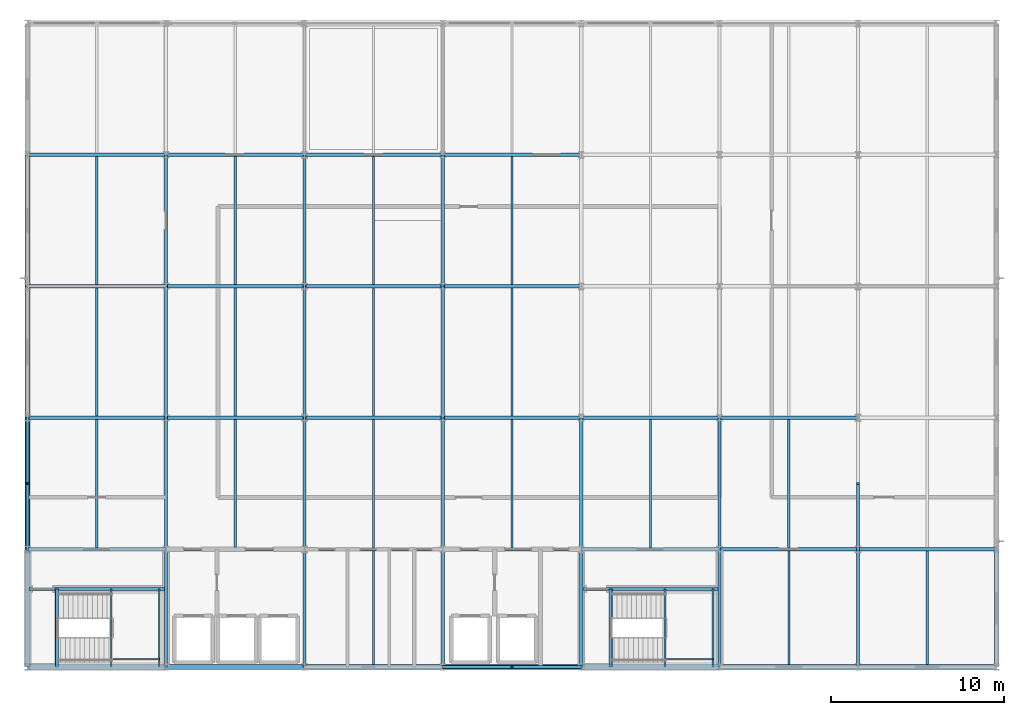
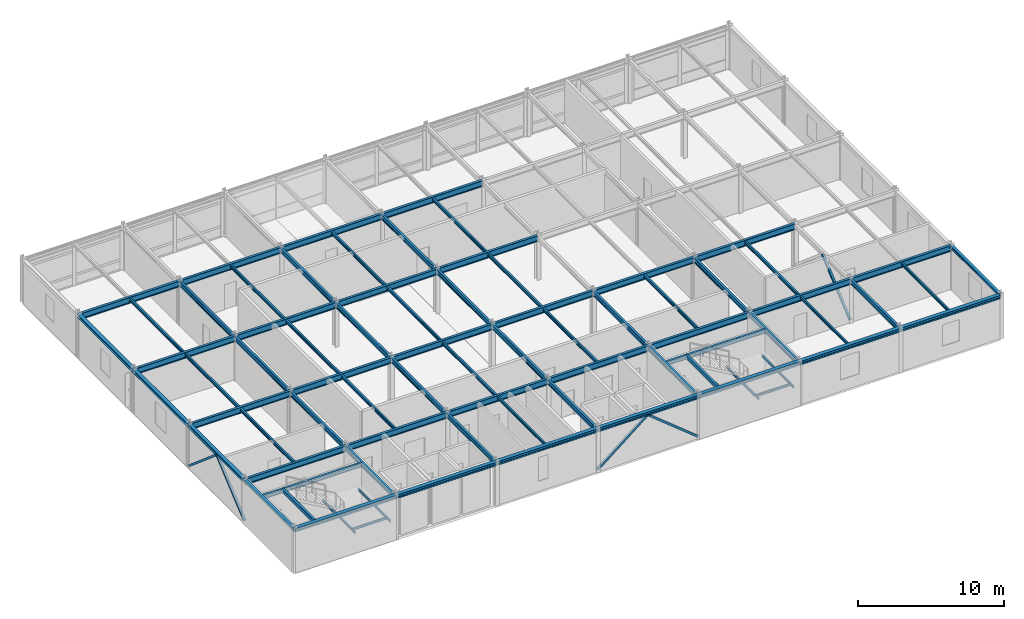
# One storey, part 4 of 15: 77 beams, 5 members.
"""IFC4 building model written with IfcOpenShell, lengths in metres."""

from ifc_helpers import new_model, si_unit, direction, frame, origin, origin_2d, place, context, subcontext, project, spatial, hollow_rectangle, i_section, extrude, material, material_profile, profile_set, type_object, element, save


model = new_model("IFC4")

# Units and contexts
model_context = context("Model", 3, precision=1e-05, world=origin(), true_north=direction((0.0, 1.0)))
body_context = subcontext(model_context, "Body", "Model", "MODEL_VIEW")
ifc_project = project(units=[si_unit("LENGTHUNIT", "METRE"), si_unit("AREAUNIT", "SQUARE_METRE"), si_unit("VOLUMEUNIT", "CUBIC_METRE"), si_unit("PLANEANGLEUNIT", "RADIAN"), si_unit("MASSUNIT", "GRAM", prefix="KILO")], contexts=[model_context])

# Site, building, storey
site_placement = place(None, origin())
site = spatial("IfcSite", under=ifc_project, at=site_placement, CompositionType="ELEMENT")
building_placement = place(site_placement, origin())
building = spatial("IfcBuilding", under=site, at=building_placement, Name="Shalkamar Park Central Library", CompositionType="ELEMENT")
storey_placement = place(building_placement, frame((0.0, 0.0, 39.89990234375)))
storey = spatial("IfcBuildingStorey", under=building, at=storey_placement, Name="L10", CompositionType="ELEMENT", Elevation=39.89990234375)

# Beams
ifc_material = material(Name="Steel S355", Category="steel")
ifc_material_profile_1 = material_profile(ifc_material, i_section(OverallWidth=0.10009765625, OverallDepth=0.199951171875, WebThickness=0.005615234375, FlangeThickness=0.008544921875, FilletRadius=0.011962890625, at=origin_2d()), Name="IPE 200")
ifc_profile_set_1 = profile_set([ifc_material_profile_1], Name="Steel S355")
beam_type_1 = type_object("IfcBeamType", Name="Composite Floor Joist IPE200", PredefinedType="JOIST", material=ifc_profile_set_1)
for number, where, z_axis, x_axis, name in (
    (1, (169.840087890625, 248.39990234375, 1.570068359375), (0.0, 1.0, 0.0), (-1.0, 0.0, 0.0), "Stair Half-Landing Beam ST-T1-L10-1"),
    (2, (172.6201171875, 248.39990234375, 1.570068359375), (0.0, 1.0, 0.0), (-1.0, 0.0, 0.0), "Stair Half-Landing Beam ST-T1-L10-2"),
):
    element("IfcBeam", number, at=place(storey_placement, frame(where, z_axis=z_axis, x_axis=x_axis)), inside=storey, type_object=beam_type_1, Name=name, PredefinedType="JOIST", context=body_context, shape_type="SweptSolid", body=[
        extrude(i_section(OverallWidth=0.10009765625, OverallDepth=0.199951171875, WebThickness=0.005615234375, FlangeThickness=0.008544921875, FilletRadius=0.011962890625, at=origin_2d()), origin(), (0.0, 0.0, 1.0), 4.5),
    ])
beam_1_placement = place(storey_placement, frame((169.840087890625, 248.85009765625, 1.570068359375), z_axis=(1.0, 0.0, 0.0), x_axis=(0.0, 1.0, 0.0)))
element("IfcBeam", 3, at=beam_1_placement, inside=storey, type_object=beam_type_1, Name="Stair Half-Landing Cross Tie ST-T1-L10-3", PredefinedType="JOIST", context=body_context, shape_type="SweptSolid", body=[
    extrude(i_section(OverallWidth=0.10009765625, OverallDepth=0.199951171875, WebThickness=0.005615234375, FlangeThickness=0.008544921875, FilletRadius=0.011962890625, at=origin_2d()), origin(), (0.0, 0.0, 1.0), 2.780029296875),
])
for number, where, z_axis, x_axis, name in (
    (4, (201.840087890625, 248.39990234375, 1.570068359375), (0.0, 1.0, 0.0), (-1.0, 0.0, 0.0), "Stair Half-Landing Beam ST-T2-L10-1"),
    (5, (204.6201171875, 248.39990234375, 1.570068359375), (0.0, 1.0, 0.0), (-1.0, 0.0, 0.0), "Stair Half-Landing Beam ST-T2-L10-2"),
):
    element("IfcBeam", number, at=place(storey_placement, frame(where, z_axis=z_axis, x_axis=x_axis)), inside=storey, type_object=beam_type_1, Name=name, PredefinedType="JOIST", context=body_context, shape_type="SweptSolid", body=[
        extrude(i_section(OverallWidth=0.10009765625, OverallDepth=0.199951171875, WebThickness=0.005615234375, FlangeThickness=0.008544921875, FilletRadius=0.011962890625, at=origin_2d()), origin(), (0.0, 0.0, 1.0), 4.5),
    ])
beam_2_placement = place(storey_placement, frame((201.840087890625, 248.85009765625, 1.570068359375), z_axis=(1.0, 0.0, 0.0), x_axis=(0.0, 1.0, 0.0)))
element("IfcBeam", 6, at=beam_2_placement, inside=storey, type_object=beam_type_1, Name="Stair Half-Landing Cross Tie ST-T2-L10-3", PredefinedType="JOIST", context=body_context, shape_type="SweptSolid", body=[
    extrude(i_section(OverallWidth=0.10009765625, OverallDepth=0.199951171875, WebThickness=0.005615234375, FlangeThickness=0.008544921875, FilletRadius=0.011962890625, at=origin_2d()), origin(), (0.0, 0.0, 1.0), 2.780029296875),
])
ifc_material_profile_2 = material_profile(ifc_material, i_section(OverallWidth=0.1201171875, OverallDepth=0.239990234375, WebThickness=0.006103515625, FlangeThickness=0.009765625, FilletRadius=0.014892578125, at=origin_2d()), Name="IPE 240")
ifc_profile_set_2 = profile_set([ifc_material_profile_2], Name="Steel S355")
beam_type_2 = type_object("IfcBeamType", Name="Composite Floor Joist IPE240", PredefinedType="JOIST", material=ifc_profile_set_2)
for number, where, z_axis, x_axis, name in (
    (7, (185.0, 248.548095703125, 3.56005859375), (0.0, 1.0, 0.0), (-1.0, 0.0, 0.0), "Composite Joist 09/B-1 (L10)"),
    (8, (209.0, 248.548095703125, 3.56005859375), (0.0, 1.0, 0.0), (-1.0, 0.0, 0.0), "Composite Joist 12/B-1 (L10)"),
    (9, (217.0, 248.548095703125, 3.56005859375), (0.0, 1.0, 0.0), (-1.0, 0.0, 0.0), "Composite Joist 13/B-1 (L10)"),
):
    element("IfcBeam", number, at=place(storey_placement, frame(where, z_axis=z_axis, x_axis=x_axis)), inside=storey, type_object=beam_type_2, Name=name, PredefinedType="JOIST", context=body_context, shape_type="SweptSolid", body=[
        extrude(i_section(OverallWidth=0.1201171875, OverallDepth=0.239990234375, WebThickness=0.006103515625, FlangeThickness=0.009765625, FilletRadius=0.014892578125, at=origin_2d()), origin(), (0.0, 0.0, 1.0), 6.553955078125),
    ])
ifc_material_profile_3 = material_profile(ifc_material, i_section(OverallWidth=0.135009765625, OverallDepth=0.27001953125, WebThickness=0.006591796875, FlangeThickness=0.01025390625, FilletRadius=0.014892578125, at=origin_2d()), Name="IPE 270")
ifc_profile_set_3 = profile_set([ifc_material_profile_3], Name="Steel S355")
beam_type_3 = type_object("IfcBeamType", Name="Composite Floor Joist IPE270", PredefinedType="JOIST", material=ifc_profile_set_3)
beam_3_placement = place(storey_placement, frame((169.0, 255.298095703125, 3.545166015625), z_axis=(0.0, 1.0, 0.0), x_axis=(-1.0, 0.0, 0.0)))
element("IfcBeam", 10, at=beam_3_placement, inside=storey, type_object=beam_type_3, Name="Composite Joist 07/C-1 (L10)", PredefinedType="JOIST", context=body_context, shape_type="SweptSolid", body=[
    extrude(i_section(OverallWidth=0.135009765625, OverallDepth=0.27001953125, WebThickness=0.006591796875, FlangeThickness=0.01025390625, FilletRadius=0.014892578125, at=origin_2d()), origin(), (0.0, 0.0, 1.0), 7.40380859375),
])
for number, where, z_axis, x_axis, name in (
    (11, (169.0, 262.89794921875, 3.545166015625), (0.0, 1.0, 0.0), (-1.0, 0.0, 0.0), "Composite Joist 07/D-1 (L10)"),
    (12, (169.0, 270.498046875, 3.545166015625), (0.0, 1.0, 0.0), (-1.0, 0.0, 0.0), "Composite Joist 07/E-1 (L10)"),
):
    element("IfcBeam", number, at=place(storey_placement, frame(where, z_axis=z_axis, x_axis=x_axis)), inside=storey, type_object=beam_type_3, Name=name, PredefinedType="JOIST", context=body_context, shape_type="SweptSolid", body=[
        extrude(i_section(OverallWidth=0.135009765625, OverallDepth=0.27001953125, WebThickness=0.006591796875, FlangeThickness=0.01025390625, FilletRadius=0.014892578125, at=origin_2d()), origin(), (0.0, 0.0, 1.0), 7.404052734375),
    ])
beam_4_placement = place(storey_placement, frame((177.0, 255.298095703125, 3.545166015625), z_axis=(0.0, 1.0, 0.0), x_axis=(-1.0, 0.0, 0.0)))
element("IfcBeam", 13, at=beam_4_placement, inside=storey, type_object=beam_type_3, Name="Composite Joist 08/C-1 (L10)", PredefinedType="JOIST", context=body_context, shape_type="SweptSolid", body=[
    extrude(i_section(OverallWidth=0.135009765625, OverallDepth=0.27001953125, WebThickness=0.006591796875, FlangeThickness=0.01025390625, FilletRadius=0.014892578125, at=origin_2d()), origin(), (0.0, 0.0, 1.0), 7.40380859375),
])
for number, where, z_axis, x_axis, name in (
    (14, (177.0, 262.89794921875, 3.545166015625), (0.0, 1.0, 0.0), (-1.0, 0.0, 0.0), "Composite Joist 08/D-1 (L10)"),
    (15, (177.0, 270.498046875, 3.545166015625), (0.0, 1.0, 0.0), (-1.0, 0.0, 0.0), "Composite Joist 08/E-1 (L10)"),
):
    element("IfcBeam", number, at=place(storey_placement, frame(where, z_axis=z_axis, x_axis=x_axis)), inside=storey, type_object=beam_type_3, Name=name, PredefinedType="JOIST", context=body_context, shape_type="SweptSolid", body=[
        extrude(i_section(OverallWidth=0.135009765625, OverallDepth=0.27001953125, WebThickness=0.006591796875, FlangeThickness=0.01025390625, FilletRadius=0.014892578125, at=origin_2d()), origin(), (0.0, 0.0, 1.0), 7.404052734375),
    ])
beam_5_placement = place(storey_placement, frame((185.0, 255.298095703125, 3.545166015625), z_axis=(0.0, 1.0, 0.0), x_axis=(-1.0, 0.0, 0.0)))
element("IfcBeam", 16, at=beam_5_placement, inside=storey, type_object=beam_type_3, Name="Composite Joist 09/C-1 (L10)", PredefinedType="JOIST", context=body_context, shape_type="SweptSolid", body=[
    extrude(i_section(OverallWidth=0.135009765625, OverallDepth=0.27001953125, WebThickness=0.006591796875, FlangeThickness=0.01025390625, FilletRadius=0.014892578125, at=origin_2d()), origin(), (0.0, 0.0, 1.0), 7.40380859375),
])
for number, where, z_axis, x_axis, name in (
    (17, (185.0, 262.89794921875, 3.545166015625), (0.0, 1.0, 0.0), (-1.0, 0.0, 0.0), "Composite Joist 09/D-1 (L10)"),
    (18, (185.0, 270.498046875, 3.545166015625), (0.0, 1.0, 0.0), (-1.0, 0.0, 0.0), "Composite Joist 09/E-1 (L10)"),
):
    element("IfcBeam", number, at=place(storey_placement, frame(where, z_axis=z_axis, x_axis=x_axis)), inside=storey, type_object=beam_type_3, Name=name, PredefinedType="JOIST", context=body_context, shape_type="SweptSolid", body=[
        extrude(i_section(OverallWidth=0.135009765625, OverallDepth=0.27001953125, WebThickness=0.006591796875, FlangeThickness=0.01025390625, FilletRadius=0.014892578125, at=origin_2d()), origin(), (0.0, 0.0, 1.0), 7.404052734375),
    ])
beam_6_placement = place(storey_placement, frame((193.0, 255.298095703125, 3.545166015625), z_axis=(0.0, 1.0, 0.0), x_axis=(-1.0, 0.0, 0.0)))
element("IfcBeam", 19, at=beam_6_placement, inside=storey, type_object=beam_type_3, Name="Composite Joist 10/C-1 (L10)", PredefinedType="JOIST", context=body_context, shape_type="SweptSolid", body=[
    extrude(i_section(OverallWidth=0.135009765625, OverallDepth=0.27001953125, WebThickness=0.006591796875, FlangeThickness=0.01025390625, FilletRadius=0.014892578125, at=origin_2d()), origin(), (0.0, 0.0, 1.0), 7.40380859375),
])
for number, where, z_axis, x_axis, name in (
    (20, (193.0, 262.89794921875, 3.545166015625), (0.0, 1.0, 0.0), (-1.0, 0.0, 0.0), "Composite Joist 10/D-1 (L10)"),
    (21, (193.0, 270.498046875, 3.545166015625), (0.0, 1.0, 0.0), (-1.0, 0.0, 0.0), "Composite Joist 10/E-1 (L10)"),
):
    element("IfcBeam", number, at=place(storey_placement, frame(where, z_axis=z_axis, x_axis=x_axis)), inside=storey, type_object=beam_type_3, Name=name, PredefinedType="JOIST", context=body_context, shape_type="SweptSolid", body=[
        extrude(i_section(OverallWidth=0.135009765625, OverallDepth=0.27001953125, WebThickness=0.006591796875, FlangeThickness=0.01025390625, FilletRadius=0.014892578125, at=origin_2d()), origin(), (0.0, 0.0, 1.0), 7.404052734375),
    ])
for number, where, z_axis, x_axis, name in (
    (22, (201.0, 255.298095703125, 3.545166015625), (0.0, 1.0, 0.0), (-1.0, 0.0, 0.0), "Composite Joist 11/C-1 (L10)"),
    (23, (209.0, 255.298095703125, 3.545166015625), (0.0, 1.0, 0.0), (-1.0, 0.0, 0.0), "Composite Joist 12/C-1 (L10)"),
):
    element("IfcBeam", number, at=place(storey_placement, frame(where, z_axis=z_axis, x_axis=x_axis)), inside=storey, type_object=beam_type_3, Name=name, PredefinedType="JOIST", context=body_context, shape_type="SweptSolid", body=[
        extrude(i_section(OverallWidth=0.135009765625, OverallDepth=0.27001953125, WebThickness=0.006591796875, FlangeThickness=0.01025390625, FilletRadius=0.014892578125, at=origin_2d()), origin(), (0.0, 0.0, 1.0), 7.40380859375),
    ])

# Members
ifc_material_profile_4 = material_profile(ifc_material, hollow_rectangle(XDim=0.179931640625, YDim=0.179931640625, WallThickness=0.010009765625, InnerFilletRadius=0.010009765625, OuterFilletRadius=0.014892578125, at=origin_2d()), Name="SHS 180x180x10")
ifc_profile_set_4 = profile_set([ifc_material_profile_4], Name="Steel S355")
member_type = type_object("IfcMemberType", Name="Diagonal Brace SHS180", PredefinedType="BRACE", material=ifc_profile_set_4)
for number, where, z_axis, x_axis, name in (
    (24, (165.0, 255.199951171875, 0.150146484375), (0.0, 0.761945356857, 0.647641315208), (-1.0, 0.0, 0.0), "Chevron Brace TW-W Leg A (L10)"),
    (25, (165.0, 262.800048828125, 0.150146484375), (0.0, -0.761945356857, 0.647641315208), (1.0, 0.0, 0.0), "Chevron Brace TW-W Leg B (L10)"),
    (26, (213.0, 255.199951171875, 0.150146484375), (0.0, 0.761945356857, 0.647641315208), (-1.0, 0.0, 0.0), "Chevron Brace TW-E Leg A (L10)"),
):
    element("IfcMember", number, at=place(storey_placement, frame(where, z_axis=z_axis, x_axis=x_axis)), inside=storey, type_object=member_type, Name=name, PredefinedType="BRACE", context=body_context, shape_type="SweptSolid", body=[
        extrude(hollow_rectangle(XDim=0.179931640625, YDim=0.179931640625, WallThickness=0.010009765625, InnerFilletRadius=0.010009765625, OuterFilletRadius=0.014892578125, at=origin_2d()), origin(), (0.0, 0.0, 1.0), 4.9873046875),
    ])
for number, where, z_axis, x_axis, name in (
    (27, (189.0, 248.39990234375, 0.150146484375), (0.778016166517, 0.0, 0.628244255555), (0.0, 1.0, 0.0), "Chevron Brace TW-S Leg A (L10)"),
    (28, (197.0, 248.39990234375, 0.150146484375), (-0.778016166517, 0.0, 0.628244255555), (0.0, -1.0, 0.0), "Chevron Brace TW-S Leg B (L10)"),
):
    element("IfcMember", number, at=place(storey_placement, frame(where, z_axis=z_axis, x_axis=x_axis)), inside=storey, type_object=member_type, Name=name, PredefinedType="BRACE", context=body_context, shape_type="SweptSolid", body=[
        extrude(hollow_rectangle(XDim=0.179931640625, YDim=0.179931640625, WallThickness=0.010009765625, InnerFilletRadius=0.010009765625, OuterFilletRadius=0.014892578125, at=origin_2d()), origin(), (0.0, 0.0, 1.0), 5.141357421875),
    ])

# Beams
ifc_material_profile_5 = material_profile(ifc_material, i_section(OverallWidth=0.239990234375, OverallDepth=0.22998046875, WebThickness=0.007568359375, FlangeThickness=0.011962890625, FilletRadius=0.02099609375, at=origin_2d()), Name="HEA 240")
ifc_profile_set_5 = profile_set([ifc_material_profile_5], Name="Steel S355")
beam_type_4 = type_object("IfcBeamType", Name="Perimeter Spandrel Beam HEA240", PredefinedType="SPANDREL", material=ifc_profile_set_5)
for number, where, z_axis, x_axis, name in (
    (29, (165.0, 248.39990234375, 3.565185546875), (0.0, 1.0, 0.0), (-1.0, 0.0, 0.0), "Beam 07:B-C (L10)"),
    (30, (221.0, 248.39990234375, 3.565185546875), (0.0, 1.0, 0.0), (-1.0, 0.0, 0.0), "Beam 14:B-C (L10)"),
):
    element("IfcBeam", number, at=place(storey_placement, frame(where, z_axis=z_axis, x_axis=x_axis)), inside=storey, type_object=beam_type_4, Name=name, PredefinedType="SPANDREL", context=body_context, shape_type="SweptSolid", body=[
        extrude(i_section(OverallWidth=0.239990234375, OverallDepth=0.22998046875, WebThickness=0.007568359375, FlangeThickness=0.011962890625, FilletRadius=0.02099609375, at=origin_2d()), origin(), (0.0, 0.0, 1.0), 6.800048828125),
    ])
ifc_material_profile_6 = material_profile(ifc_material, i_section(OverallWidth=0.280029296875, OverallDepth=0.27001953125, WebThickness=0.008056640625, FlangeThickness=0.012939453125, FilletRadius=0.02392578125, at=origin_2d()), Name="HEA 280")
ifc_profile_set_6 = profile_set([ifc_material_profile_6], Name="Steel S355")
beam_type_5 = type_object("IfcBeamType", Name="Perimeter Spandrel Beam HEA280", PredefinedType="SPANDREL", material=ifc_profile_set_6)
beam_7_placement = place(storey_placement, frame((165.0, 255.199951171875, 3.545166015625), z_axis=(0.0, 1.0, 0.0), x_axis=(-1.0, 0.0, 0.0)))
element("IfcBeam", 31, at=beam_7_placement, inside=storey, type_object=beam_type_5, Name="Beam 07:C-D (L10)", PredefinedType="SPANDREL", context=body_context, shape_type="SweptSolid", body=[
    extrude(i_section(OverallWidth=0.280029296875, OverallDepth=0.27001953125, WebThickness=0.008056640625, FlangeThickness=0.012939453125, FilletRadius=0.02392578125, at=origin_2d()), origin(), (0.0, 0.0, 1.0), 7.60009765625),
])
beam_8_placement = place(storey_placement, frame((165.0, 262.800048828125, 3.545166015625), z_axis=(0.0, 1.0, 0.0), x_axis=(-1.0, 0.0, 0.0)))
element("IfcBeam", 32, at=beam_8_placement, inside=storey, type_object=beam_type_5, Name="Beam 07:D-E (L10)", PredefinedType="SPANDREL", context=body_context, shape_type="SweptSolid", body=[
    extrude(i_section(OverallWidth=0.280029296875, OverallDepth=0.27001953125, WebThickness=0.008056640625, FlangeThickness=0.012939453125, FilletRadius=0.02392578125, at=origin_2d()), origin(), (0.0, 0.0, 1.0), 7.599853515625),
])
beam_9_placement = place(storey_placement, frame((165.0, 270.39990234375, 3.545166015625), z_axis=(0.0, 1.0, 0.0), x_axis=(-1.0, 0.0, 0.0)))
element("IfcBeam", 33, at=beam_9_placement, inside=storey, type_object=beam_type_5, Name="Beam 07:E-F (L10)", PredefinedType="SPANDREL", context=body_context, shape_type="SweptSolid", body=[
    extrude(i_section(OverallWidth=0.280029296875, OverallDepth=0.27001953125, WebThickness=0.008056640625, FlangeThickness=0.012939453125, FilletRadius=0.02392578125, at=origin_2d()), origin(), (0.0, 0.0, 1.0), 7.60009765625),
])
ifc_material_profile_7 = material_profile(ifc_material, i_section(OverallWidth=0.300048828125, OverallDepth=0.31005859375, WebThickness=0.009033203125, FlangeThickness=0.015380859375, FilletRadius=0.027099609375, at=origin_2d()), Name="HEA 320")
ifc_profile_set_7 = profile_set([ifc_material_profile_7], Name="Steel S355")
beam_type_6 = type_object("IfcBeamType", Name="Perimeter Spandrel Beam HEA320", PredefinedType="SPANDREL", material=ifc_profile_set_7)
for number, where, z_axis, x_axis, name in (
    (34, (165.0, 248.39990234375, 3.525146484375), (1.0, 0.0, 0.0), (0.0, 1.0, 0.0), "Beam B:07-08 (L10)"),
    (35, (173.0, 248.39990234375, 3.525146484375), (1.0, 0.0, 0.0), (0.0, 1.0, 0.0), "Beam B:08-09 (L10)"),
    (36, (181.0, 248.39990234375, 3.525146484375), (1.0, 0.0, 0.0), (0.0, 1.0, 0.0), "Beam B:09-10 (L10)"),
    (37, (189.0, 248.39990234375, 3.525146484375), (1.0, 0.0, 0.0), (0.0, 1.0, 0.0), "Beam B:10-11 (L10)"),
    (38, (197.0, 248.39990234375, 3.525146484375), (1.0, 0.0, 0.0), (0.0, 1.0, 0.0), "Beam B:11-12 (L10)"),
    (39, (205.0, 248.39990234375, 3.525146484375), (1.0, 0.0, 0.0), (0.0, 1.0, 0.0), "Beam B:12-13 (L10)"),
    (40, (213.0, 248.39990234375, 3.525146484375), (1.0, 0.0, 0.0), (0.0, 1.0, 0.0), "Beam B:13-14 (L10)"),
):
    element("IfcBeam", number, at=place(storey_placement, frame(where, z_axis=z_axis, x_axis=x_axis)), inside=storey, type_object=beam_type_6, Name=name, PredefinedType="SPANDREL", context=body_context, shape_type="SweptSolid", body=[
        extrude(i_section(OverallWidth=0.300048828125, OverallDepth=0.31005859375, WebThickness=0.009033203125, FlangeThickness=0.015380859375, FilletRadius=0.027099609375, at=origin_2d()), origin(), (0.0, 0.0, 1.0), 8.0),
    ])
ifc_material_profile_8 = material_profile(ifc_material, i_section(OverallWidth=0.169921875, OverallDepth=0.360107421875, WebThickness=0.008056640625, FlangeThickness=0.0126953125, FilletRadius=0.01806640625, at=origin_2d()), Name="IPE 360")
ifc_profile_set_8 = profile_set([ifc_material_profile_8], Name="Steel S355")
beam_type_7 = type_object("IfcBeamType", Name="Primary Girder IPE360", PredefinedType="BEAM", material=ifc_profile_set_8)
for number, where, z_axis, x_axis, name in (
    (41, (165.087890625, 252.89990234375, 3.5), (1.0, 0.0, 0.0), (0.0, 1.0, 0.0), "CORE-T1 Stairwell Divider Beam (L10)"),
    (42, (197.087890625, 252.89990234375, 3.5), (1.0, 0.0, 0.0), (0.0, 1.0, 0.0), "CORE-T2 Stairwell Divider Beam (L10)"),
):
    element("IfcBeam", number, at=place(storey_placement, frame(where, z_axis=z_axis, x_axis=x_axis)), inside=storey, type_object=beam_type_7, Name=name, PredefinedType="BEAM", context=body_context, shape_type="SweptSolid", body=[
        extrude(i_section(OverallWidth=0.169921875, OverallDepth=0.360107421875, WebThickness=0.008056640625, FlangeThickness=0.0126953125, FilletRadius=0.01806640625, at=origin_2d()), origin(), (0.0, 0.0, 1.0), 7.82421875),
    ])
ifc_material_profile_9 = material_profile(ifc_material, i_section(OverallWidth=0.179931640625, OverallDepth=0.39990234375, WebThickness=0.008544921875, FlangeThickness=0.013427734375, FilletRadius=0.02099609375, at=origin_2d()), Name="IPE 400")
ifc_profile_set_9 = profile_set([ifc_material_profile_9], Name="Steel S355")
beam_type_8 = type_object("IfcBeamType", Name="Primary Girder IPE400", PredefinedType="BEAM", material=ifc_profile_set_9)
beam_10_placement = place(storey_placement, frame((173.0, 248.39990234375, 3.47998046875), z_axis=(0.0, 1.0, 0.0), x_axis=(-1.0, 0.0, 0.0)))
element("IfcBeam", 43, at=beam_10_placement, inside=storey, type_object=beam_type_8, Name="Beam 08:B-C (L10)", PredefinedType="BEAM", context=body_context, shape_type="SweptSolid", body=[
    extrude(i_section(OverallWidth=0.179931640625, OverallDepth=0.39990234375, WebThickness=0.008544921875, FlangeThickness=0.013427734375, FilletRadius=0.02099609375, at=origin_2d()), origin(), (0.0, 0.0, 1.0), 6.800048828125),
])
beam_11_placement = place(storey_placement, frame((173.0, 255.199951171875, 3.47998046875), z_axis=(0.0, 1.0, 0.0), x_axis=(-1.0, 0.0, 0.0)))
element("IfcBeam", 44, at=beam_11_placement, inside=storey, type_object=beam_type_8, Name="Beam 08:C-D (L10)", PredefinedType="BEAM", context=body_context, shape_type="SweptSolid", body=[
    extrude(i_section(OverallWidth=0.179931640625, OverallDepth=0.39990234375, WebThickness=0.008544921875, FlangeThickness=0.013427734375, FilletRadius=0.02099609375, at=origin_2d()), origin(), (0.0, 0.0, 1.0), 7.60009765625),
])
beam_12_placement = place(storey_placement, frame((173.0, 262.800048828125, 3.47998046875), z_axis=(0.0, 1.0, 0.0), x_axis=(-1.0, 0.0, 0.0)))
element("IfcBeam", 45, at=beam_12_placement, inside=storey, type_object=beam_type_8, Name="Beam 08:D-E (L10)", PredefinedType="BEAM", context=body_context, shape_type="SweptSolid", body=[
    extrude(i_section(OverallWidth=0.179931640625, OverallDepth=0.39990234375, WebThickness=0.008544921875, FlangeThickness=0.013427734375, FilletRadius=0.02099609375, at=origin_2d()), origin(), (0.0, 0.0, 1.0), 7.599853515625),
])
beam_13_placement = place(storey_placement, frame((173.0, 270.39990234375, 3.47998046875), z_axis=(0.0, 1.0, 0.0), x_axis=(-1.0, 0.0, 0.0)))
element("IfcBeam", 46, at=beam_13_placement, inside=storey, type_object=beam_type_8, Name="Beam 08:E-F (L10)", PredefinedType="BEAM", context=body_context, shape_type="SweptSolid", body=[
    extrude(i_section(OverallWidth=0.179931640625, OverallDepth=0.39990234375, WebThickness=0.008544921875, FlangeThickness=0.013427734375, FilletRadius=0.02099609375, at=origin_2d()), origin(), (0.0, 0.0, 1.0), 7.60009765625),
])
beam_14_placement = place(storey_placement, frame((181.0, 248.39990234375, 3.47998046875), z_axis=(0.0, 1.0, 0.0), x_axis=(-1.0, 0.0, 0.0)))
element("IfcBeam", 47, at=beam_14_placement, inside=storey, type_object=beam_type_8, Name="Beam 09:B-C (L10)", PredefinedType="BEAM", context=body_context, shape_type="SweptSolid", body=[
    extrude(i_section(OverallWidth=0.179931640625, OverallDepth=0.39990234375, WebThickness=0.008544921875, FlangeThickness=0.013427734375, FilletRadius=0.02099609375, at=origin_2d()), origin(), (0.0, 0.0, 1.0), 6.800048828125),
])
beam_15_placement = place(storey_placement, frame((181.0, 255.199951171875, 3.47998046875), z_axis=(0.0, 1.0, 0.0), x_axis=(-1.0, 0.0, 0.0)))
element("IfcBeam", 48, at=beam_15_placement, inside=storey, type_object=beam_type_8, Name="Beam 09:C-D (L10)", PredefinedType="BEAM", context=body_context, shape_type="SweptSolid", body=[
    extrude(i_section(OverallWidth=0.179931640625, OverallDepth=0.39990234375, WebThickness=0.008544921875, FlangeThickness=0.013427734375, FilletRadius=0.02099609375, at=origin_2d()), origin(), (0.0, 0.0, 1.0), 7.60009765625),
])
beam_16_placement = place(storey_placement, frame((181.0, 262.800048828125, 3.47998046875), z_axis=(0.0, 1.0, 0.0), x_axis=(-1.0, 0.0, 0.0)))
element("IfcBeam", 49, at=beam_16_placement, inside=storey, type_object=beam_type_8, Name="Beam 09:D-E (L10)", PredefinedType="BEAM", context=body_context, shape_type="SweptSolid", body=[
    extrude(i_section(OverallWidth=0.179931640625, OverallDepth=0.39990234375, WebThickness=0.008544921875, FlangeThickness=0.013427734375, FilletRadius=0.02099609375, at=origin_2d()), origin(), (0.0, 0.0, 1.0), 7.599853515625),
])
beam_17_placement = place(storey_placement, frame((181.0, 270.39990234375, 3.47998046875), z_axis=(0.0, 1.0, 0.0), x_axis=(-1.0, 0.0, 0.0)))
element("IfcBeam", 50, at=beam_17_placement, inside=storey, type_object=beam_type_8, Name="Beam 09:E-F (L10)", PredefinedType="BEAM", context=body_context, shape_type="SweptSolid", body=[
    extrude(i_section(OverallWidth=0.179931640625, OverallDepth=0.39990234375, WebThickness=0.008544921875, FlangeThickness=0.013427734375, FilletRadius=0.02099609375, at=origin_2d()), origin(), (0.0, 0.0, 1.0), 7.60009765625),
])
beam_18_placement = place(storey_placement, frame((189.0, 248.39990234375, 3.47998046875), z_axis=(0.0, 1.0, 0.0), x_axis=(-1.0, 0.0, 0.0)))
element("IfcBeam", 51, at=beam_18_placement, inside=storey, type_object=beam_type_8, Name="Beam 10:B-C (L10)", PredefinedType="BEAM", context=body_context, shape_type="SweptSolid", body=[
    extrude(i_section(OverallWidth=0.179931640625, OverallDepth=0.39990234375, WebThickness=0.008544921875, FlangeThickness=0.013427734375, FilletRadius=0.02099609375, at=origin_2d()), origin(), (0.0, 0.0, 1.0), 6.800048828125),
])
beam_19_placement = place(storey_placement, frame((189.0, 255.199951171875, 3.47998046875), z_axis=(0.0, 1.0, 0.0), x_axis=(-1.0, 0.0, 0.0)))
element("IfcBeam", 52, at=beam_19_placement, inside=storey, type_object=beam_type_8, Name="Beam 10:C-D (L10)", PredefinedType="BEAM", context=body_context, shape_type="SweptSolid", body=[
    extrude(i_section(OverallWidth=0.179931640625, OverallDepth=0.39990234375, WebThickness=0.008544921875, FlangeThickness=0.013427734375, FilletRadius=0.02099609375, at=origin_2d()), origin(), (0.0, 0.0, 1.0), 7.60009765625),
])
beam_20_placement = place(storey_placement, frame((189.0, 262.800048828125, 3.47998046875), z_axis=(0.0, 1.0, 0.0), x_axis=(-1.0, 0.0, 0.0)))
element("IfcBeam", 53, at=beam_20_placement, inside=storey, type_object=beam_type_8, Name="Beam 10:D-E (L10)", PredefinedType="BEAM", context=body_context, shape_type="SweptSolid", body=[
    extrude(i_section(OverallWidth=0.179931640625, OverallDepth=0.39990234375, WebThickness=0.008544921875, FlangeThickness=0.013427734375, FilletRadius=0.02099609375, at=origin_2d()), origin(), (0.0, 0.0, 1.0), 7.599853515625),
])
beam_21_placement = place(storey_placement, frame((189.0, 270.39990234375, 3.47998046875), z_axis=(0.0, 1.0, 0.0), x_axis=(-1.0, 0.0, 0.0)))
element("IfcBeam", 54, at=beam_21_placement, inside=storey, type_object=beam_type_8, Name="Beam 10:E-F (L10)", PredefinedType="BEAM", context=body_context, shape_type="SweptSolid", body=[
    extrude(i_section(OverallWidth=0.179931640625, OverallDepth=0.39990234375, WebThickness=0.008544921875, FlangeThickness=0.013427734375, FilletRadius=0.02099609375, at=origin_2d()), origin(), (0.0, 0.0, 1.0), 7.60009765625),
])
beam_22_placement = place(storey_placement, frame((197.0, 248.39990234375, 3.47998046875), z_axis=(0.0, 1.0, 0.0), x_axis=(-1.0, 0.0, 0.0)))
element("IfcBeam", 55, at=beam_22_placement, inside=storey, type_object=beam_type_8, Name="Beam 11:B-C (L10)", PredefinedType="BEAM", context=body_context, shape_type="SweptSolid", body=[
    extrude(i_section(OverallWidth=0.179931640625, OverallDepth=0.39990234375, WebThickness=0.008544921875, FlangeThickness=0.013427734375, FilletRadius=0.02099609375, at=origin_2d()), origin(), (0.0, 0.0, 1.0), 6.800048828125),
])
beam_23_placement = place(storey_placement, frame((197.0, 255.199951171875, 3.47998046875), z_axis=(0.0, 1.0, 0.0), x_axis=(-1.0, 0.0, 0.0)))
element("IfcBeam", 56, at=beam_23_placement, inside=storey, type_object=beam_type_8, Name="Beam 11:C-D (L10)", PredefinedType="BEAM", context=body_context, shape_type="SweptSolid", body=[
    extrude(i_section(OverallWidth=0.179931640625, OverallDepth=0.39990234375, WebThickness=0.008544921875, FlangeThickness=0.013427734375, FilletRadius=0.02099609375, at=origin_2d()), origin(), (0.0, 0.0, 1.0), 7.60009765625),
])
beam_24_placement = place(storey_placement, frame((205.0, 248.39990234375, 3.47998046875), z_axis=(0.0, 1.0, 0.0), x_axis=(-1.0, 0.0, 0.0)))
element("IfcBeam", 57, at=beam_24_placement, inside=storey, type_object=beam_type_8, Name="Beam 12:B-C (L10)", PredefinedType="BEAM", context=body_context, shape_type="SweptSolid", body=[
    extrude(i_section(OverallWidth=0.179931640625, OverallDepth=0.39990234375, WebThickness=0.008544921875, FlangeThickness=0.013427734375, FilletRadius=0.02099609375, at=origin_2d()), origin(), (0.0, 0.0, 1.0), 6.800048828125),
])
beam_25_placement = place(storey_placement, frame((205.0, 255.199951171875, 3.47998046875), z_axis=(0.0, 1.0, 0.0), x_axis=(-1.0, 0.0, 0.0)))
element("IfcBeam", 58, at=beam_25_placement, inside=storey, type_object=beam_type_8, Name="Beam 12:C-D (L10)", PredefinedType="BEAM", context=body_context, shape_type="SweptSolid", body=[
    extrude(i_section(OverallWidth=0.179931640625, OverallDepth=0.39990234375, WebThickness=0.008544921875, FlangeThickness=0.013427734375, FilletRadius=0.02099609375, at=origin_2d()), origin(), (0.0, 0.0, 1.0), 7.60009765625),
])
beam_26_placement = place(storey_placement, frame((213.0, 248.39990234375, 3.47998046875), z_axis=(0.0, 1.0, 0.0), x_axis=(-1.0, 0.0, 0.0)))
element("IfcBeam", 59, at=beam_26_placement, inside=storey, type_object=beam_type_8, Name="Beam 13:B-C (L10)", PredefinedType="BEAM", context=body_context, shape_type="SweptSolid", body=[
    extrude(i_section(OverallWidth=0.179931640625, OverallDepth=0.39990234375, WebThickness=0.008544921875, FlangeThickness=0.013427734375, FilletRadius=0.02099609375, at=origin_2d()), origin(), (0.0, 0.0, 1.0), 6.800048828125),
])
ifc_material_profile_10 = material_profile(ifc_material, i_section(OverallWidth=0.199951171875, OverallDepth=0.5, WebThickness=0.01025390625, FlangeThickness=0.01611328125, FilletRadius=0.02099609375, at=origin_2d()), Name="IPE 500")
ifc_profile_set_10 = profile_set([ifc_material_profile_10], Name="Steel S355")
beam_type_9 = type_object("IfcBeamType", Name="Primary Girder IPE500", PredefinedType="BEAM", material=ifc_profile_set_10)
for number, where, z_axis, x_axis, name in (
    (60, (165.0, 255.199951171875, 3.43017578125), (1.0, 0.0, 0.0), (0.0, 1.0, 0.0), "Beam C:07-08 (L10)"),
    (61, (173.0, 255.199951171875, 3.43017578125), (1.0, 0.0, 0.0), (0.0, 1.0, 0.0), "Beam C:08-09 (L10)"),
    (62, (181.0, 255.199951171875, 3.43017578125), (1.0, 0.0, 0.0), (0.0, 1.0, 0.0), "Beam C:09-10 (L10)"),
    (63, (189.0, 255.199951171875, 3.43017578125), (1.0, 0.0, 0.0), (0.0, 1.0, 0.0), "Beam C:10-11 (L10)"),
    (64, (197.0, 255.199951171875, 3.43017578125), (1.0, 0.0, 0.0), (0.0, 1.0, 0.0), "Beam C:11-12 (L10)"),
    (65, (205.0, 255.199951171875, 3.43017578125), (1.0, 0.0, 0.0), (0.0, 1.0, 0.0), "Beam C:12-13 (L10)"),
    (66, (213.0, 255.199951171875, 3.43017578125), (1.0, 0.0, 0.0), (0.0, 1.0, 0.0), "Beam C:13-14 (L10)"),
    (67, (165.0, 262.800048828125, 3.43017578125), (1.0, 0.0, 0.0), (0.0, 1.0, 0.0), "Beam D:07-08 (L10)"),
    (68, (173.0, 262.800048828125, 3.43017578125), (1.0, 0.0, 0.0), (0.0, 1.0, 0.0), "Beam D:08-09 (L10)"),
    (69, (181.0, 262.800048828125, 3.43017578125), (1.0, 0.0, 0.0), (0.0, 1.0, 0.0), "Beam D:09-10 (L10)"),
    (70, (189.0, 262.800048828125, 3.43017578125), (1.0, 0.0, 0.0), (0.0, 1.0, 0.0), "Beam D:10-11 (L10)"),
    (71, (197.0, 262.800048828125, 3.43017578125), (1.0, 0.0, 0.0), (0.0, 1.0, 0.0), "Beam D:11-12 (L10)"),
    (72, (205.0, 262.800048828125, 3.43017578125), (1.0, 0.0, 0.0), (0.0, 1.0, 0.0), "Beam D:12-13 (L10)"),
    (73, (165.0, 270.39990234375, 3.43017578125), (1.0, 0.0, 0.0), (0.0, 1.0, 0.0), "Beam E:07-08 (L10)"),
    (74, (173.0, 270.39990234375, 3.43017578125), (1.0, 0.0, 0.0), (0.0, 1.0, 0.0), "Beam E:08-09 (L10)"),
    (75, (181.0, 270.39990234375, 3.43017578125), (1.0, 0.0, 0.0), (0.0, 1.0, 0.0), "Beam E:09-10 (L10)"),
    (76, (189.0, 270.39990234375, 3.43017578125), (1.0, 0.0, 0.0), (0.0, 1.0, 0.0), "Beam E:10-11 (L10)"),
    (77, (165.0, 278.0, 3.43017578125), (1.0, 0.0, 0.0), (0.0, 1.0, 0.0), "Beam F:07-08 (L10)"),
    (78, (173.0, 278.0, 3.43017578125), (1.0, 0.0, 0.0), (0.0, 1.0, 0.0), "Beam F:08-09 (L10)"),
    (79, (181.0, 278.0, 3.43017578125), (1.0, 0.0, 0.0), (0.0, 1.0, 0.0), "Beam F:09-10 (L10)"),
    (80, (189.0, 278.0, 3.43017578125), (1.0, 0.0, 0.0), (0.0, 1.0, 0.0), "Beam F:10-11 (L10)"),
):
    element("IfcBeam", number, at=place(storey_placement, frame(where, z_axis=z_axis, x_axis=x_axis)), inside=storey, type_object=beam_type_9, Name=name, PredefinedType="BEAM", context=body_context, shape_type="SweptSolid", body=[
        extrude(i_section(OverallWidth=0.199951171875, OverallDepth=0.5, WebThickness=0.01025390625, FlangeThickness=0.01611328125, FilletRadius=0.02099609375, at=origin_2d()), origin(), (0.0, 0.0, 1.0), 8.0),
    ])
ifc_material_profile_11 = material_profile(ifc_material, hollow_rectangle(XDim=0.199951171875, YDim=0.300048828125, WallThickness=0.011962890625, InnerFilletRadius=0.011962890625, OuterFilletRadius=0.01806640625, at=origin_2d()), Name="RHS 300x200x12")
ifc_profile_set_11 = profile_set([ifc_material_profile_11], Name="Steel S355")
beam_type_10 = type_object("IfcBeamType", Name="Stair Trimmer Box RHS300x200", PredefinedType="BEAM", material=ifc_profile_set_11)
for number, where, z_axis, x_axis, name in (
    (81, (166.699951171875, 248.39990234375, 3.530029296875), (0.0, 1.0, 0.0), (-1.0, 0.0, 0.0), "Stair Arrival Trimmer Girder ST-T1-L10"),
    (82, (198.699951171875, 248.39990234375, 3.530029296875), (0.0, 1.0, 0.0), (-1.0, 0.0, 0.0), "Stair Arrival Trimmer Girder ST-T2-L10"),
):
    element("IfcBeam", number, at=place(storey_placement, frame(where, z_axis=z_axis, x_axis=x_axis)), inside=storey, type_object=beam_type_10, Name=name, PredefinedType="BEAM", context=body_context, shape_type="SweptSolid", body=[
        extrude(hollow_rectangle(XDim=0.199951171875, YDim=0.300048828125, WallThickness=0.011962890625, InnerFilletRadius=0.011962890625, OuterFilletRadius=0.01806640625, at=origin_2d()), origin(), (0.0, 0.0, 1.0), 4.5),
    ])

save(model, "model.ifc")
